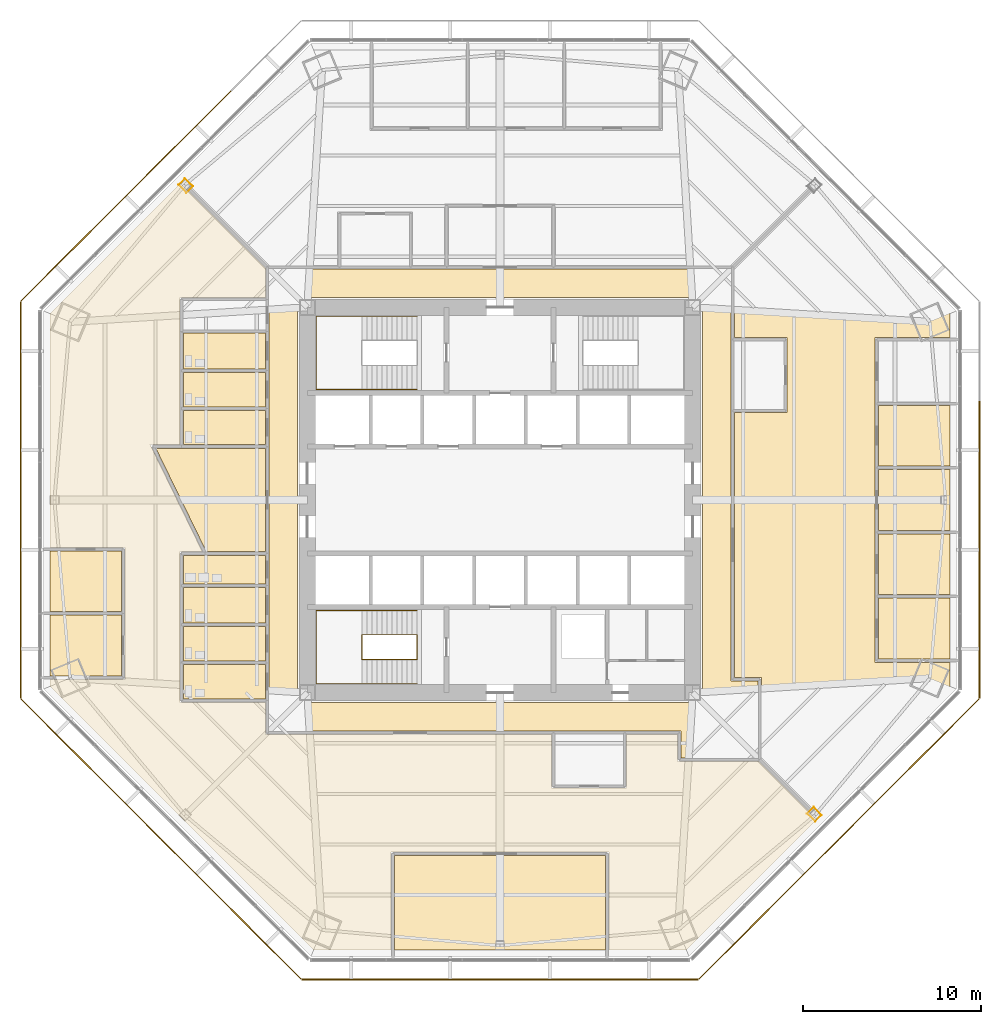
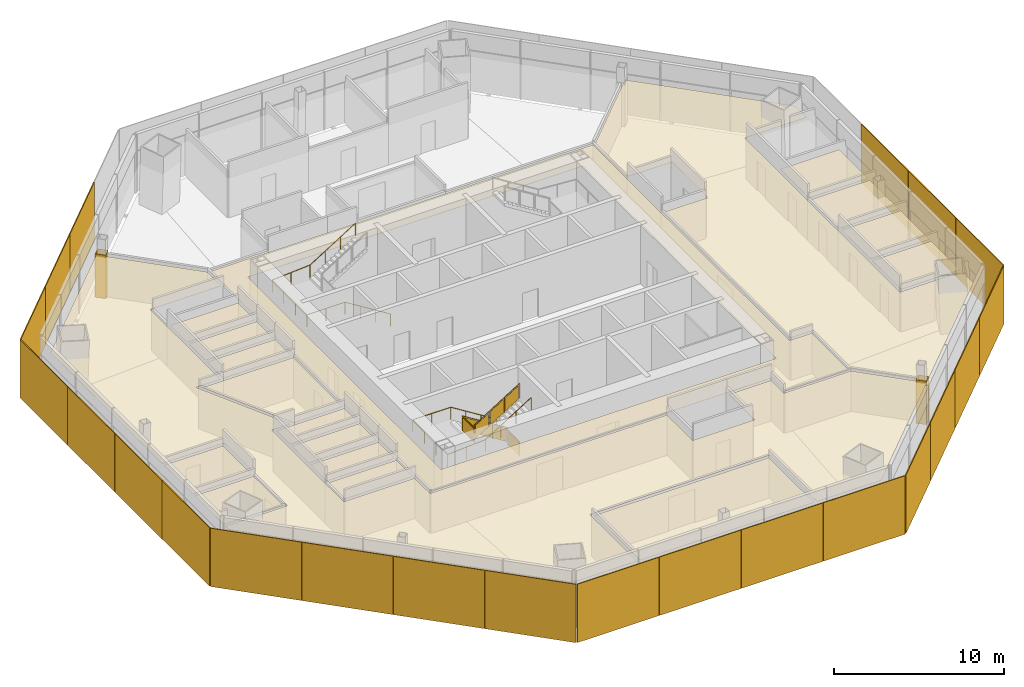
# One storey, part 14 of 16: 22 shading devices, 20 coverings, 3 railings.
"""IFC4 building model written with IfcOpenShell, lengths in metres."""

from ifc_helpers import new_model, si_unit, direction, frame, origin, origin_2d, place, context, subcontext, project, spatial, polyline, rectangle, circle, outline, extrude, source, transform, mapped, material, layer, layer_set, type_object, type_shapes, element, save


model = new_model("IFC4")

# Units and contexts
model_context = context("Model", 3, precision=1e-05, world=origin(), true_north=direction((0.0, 1.0)))
body_context = subcontext(model_context, "Body", "Model", "MODEL_VIEW")
ifc_project = project(units=[si_unit("LENGTHUNIT", "METRE"), si_unit("AREAUNIT", "SQUARE_METRE"), si_unit("VOLUMEUNIT", "CUBIC_METRE"), si_unit("PLANEANGLEUNIT", "RADIAN"), si_unit("MASSUNIT", "GRAM", prefix="KILO")], contexts=[model_context])

# Site, building, storey
site_placement = place(None, origin())
site = spatial("IfcSite", under=ifc_project, at=site_placement, CompositionType="ELEMENT")
building_placement = place(site_placement, origin())
building = spatial("IfcBuilding", under=site, at=building_placement, Name="Mashrafa Tower", CompositionType="ELEMENT")
storey_placement = place(building_placement, frame((0.0, 0.0, 79.199951171875)))
storey = spatial("IfcBuildingStorey", under=building, at=storey_placement, Name="L17", CompositionType="ELEMENT", Elevation=79.199951171875)

# Coverings
ifc_material_1 = material(Name="Gypsum board")
ifc_layer_1 = layer(ifc_material_1, 0.014892578125)
ifc_layer_set_1 = layer_set([ifc_layer_1], Name="Column casing plasterboard 15")
covering_type_1 = type_object("IfcCoveringType", Name="Column casing plasterboard 15", PredefinedType="CLADDING", material=ifc_layer_set_1)
covering_1_placement = place(storey_placement, origin())
element("IfcCovering", 1, at=covering_1_placement, inside=storey, type_object=covering_type_1, Name="Column casing L17-002", PredefinedType="CLADDING", context=body_context, shape_type="SweptSolid", body=[
    extrude(outline(polyline([(-18.0341796875, 17.659423828125), (-17.659423828125, 18.0341796875), (-17.20068359375, 17.575439453125), (-17.575439453125, 17.20068359375), (-18.0341796875, 17.659423828125)]), holes=[polyline([(-17.2216796875, 17.575439453125), (-17.659423828125, 18.01318359375), (-18.01318359375, 17.659423828125), (-17.575439453125, 17.2216796875), (-17.2216796875, 17.575439453125)])]), origin(), (0.0, 0.0, 1.0), 3.113037109375),
])
covering_2_placement = place(storey_placement, origin())
element("IfcCovering", 2, at=covering_2_placement, inside=storey, type_object=covering_type_1, Name="Column casing L17-003", PredefinedType="CLADDING", context=body_context, shape_type="SweptSolid", body=[
    extrude(outline(polyline([(17.20068359375, -17.575439453125), (17.575439453125, -17.20068359375), (18.0341796875, -17.659423828125), (17.659423828125, -18.0341796875), (17.20068359375, -17.575439453125)]), holes=[polyline([(18.01318359375, -17.659423828125), (17.575439453125, -17.2216796875), (17.2216796875, -17.575439453125), (17.659423828125, -18.01318359375), (18.01318359375, -17.659423828125)])]), origin(), (0.0, 0.0, 1.0), 3.113037109375),
])

# Railings
ifc_material_2 = material(Name="Steel guard with glass infill", Category="steel")
railing_type_1 = type_object("IfcRailingType", Name="Stair guard 1100", PredefinedType="GUARDRAIL", material=ifc_material_2)
railing_1_placement = place(storey_placement, frame((-4.64990234375, -8.949951171875, 0.0)))
element("IfcRailing", 3, at=railing_1_placement, inside=storey, type_object=railing_type_1, Name="Stair S3 guard L17", PredefinedType="GUARDRAIL", context=body_context, shape_type="SweptSolid", body=[
    extrude(circle(Radius=0.02392578125, at=origin_2d()), frame((0.0, 0.0, 1.076171875), z_axis=(0.0, 1.0, 0.0), x_axis=(-1.0, 0.0, 0.0)), (0.0, 0.0, 1.0), 1.39990234375),
    extrude(circle(Radius=0.02392578125, at=origin_2d()), frame((0.0, 1.39990234375, 1.076171875), z_axis=(0.0, 0.0, 1.0), x_axis=(1.0, 0.0, 0.0)), (0.0, 0.0, 1.0), 0.175048828125),
    extrude(circle(Radius=0.02392578125, at=origin_2d()), frame((0.0, 1.39990234375, 1.2509765625), z_axis=(-0.847998304005, 0.0, 0.529998940003), x_axis=(0.0, -1.0, 0.0)), (0.0, 0.0, 1.0), 3.632080078125),
    extrude(circle(Radius=0.02392578125, at=origin_2d()), frame((-3.080078125, 1.39990234375, 3.17626953125), z_axis=(0.0, -1.0, 0.0), x_axis=(1.0, 0.0, 0.0)), (0.0, 0.0, 1.0), 1.39990234375),
    extrude(circle(Radius=0.02392578125, at=origin_2d()), frame((-3.080078125, 0.0, 3.17626953125), z_axis=(0.0, 0.0, 1.0), x_axis=(1.0, 0.0, 0.0)), (0.0, 0.0, 1.0), 0.175048828125),
    extrude(circle(Radius=0.02392578125, at=origin_2d()), frame((-3.080078125, 0.0, 3.35107421875), z_axis=(0.848028513186, 0.0, 0.529950602248), x_axis=(0.0, 1.0, 0.0)), (0.0, 0.0, 1.0), 3.632080078125),
    extrude(circle(Radius=0.02099609375, at=origin_2d()), origin(), (0.0, 0.0, 1.0), 1.052001953125),
    extrude(circle(Radius=0.02099609375, at=origin_2d()), frame((0.0, 1.39990234375, 0.0)), (0.0, 0.0, 1.0), 1.052001953125),
    extrude(circle(Radius=0.02099609375, at=origin_2d()), frame((0.0, 1.39990234375, 0.175048828125)), (0.0, 0.0, 1.0), 1.052001953125),
    extrude(circle(Radius=0.02099609375, at=origin_2d()), frame((-1.026611328125, 1.39990234375, 0.816650390625)), (0.0, 0.0, 1.0), 1.052001953125),
    extrude(circle(Radius=0.02099609375, at=origin_2d()), frame((-2.053466796875, 1.39990234375, 1.45849609375)), (0.0, 0.0, 1.0), 1.052001953125),
    extrude(circle(Radius=0.02099609375, at=origin_2d()), frame((-3.080078125, 1.39990234375, 2.10009765625)), (0.0, 0.0, 1.0), 1.052001953125),
    extrude(circle(Radius=0.02099609375, at=origin_2d()), frame((-3.080078125, 0.0, 2.10009765625)), (0.0, 0.0, 1.0), 1.052001953125),
    extrude(circle(Radius=0.02099609375, at=origin_2d()), frame((-3.080078125, 0.0, 2.275146484375)), (0.0, 0.0, 1.0), 1.052001953125),
    extrude(circle(Radius=0.02099609375, at=origin_2d()), frame((-2.053466796875, 0.0, 2.916748046875)), (0.0, 0.0, 1.0), 1.052001953125),
    extrude(circle(Radius=0.02099609375, at=origin_2d()), frame((-1.026611328125, 0.0, 3.558349609375)), (0.0, 0.0, 1.0), 1.052001953125),
    extrude(circle(Radius=0.02099609375, at=origin_2d()), frame((0.0, 0.0, 4.199951171875)), (0.0, 0.0, 1.0), 1.052001953125),
    extrude(outline(polyline([(0.071044921875, 0.050048828125), (1.328857421875, 0.050048828125), (1.328857421875, 1.001953125), (0.071044921875, 1.001953125), (0.071044921875, 0.050048828125)])), frame((0.006103515625, 0.0, 0.0), z_axis=(1.0, 0.0, 0.0), x_axis=(0.0, 1.0, 0.0)), (0.0, 0.0, 1.0), 0.011962890625),
    extrude(outline(polyline([(0.071044921875, 0.094482421875), (0.955810546875, 0.647216796875), (0.955810546875, 1.599365234375), (0.071044921875, 1.04638671875), (0.071044921875, 0.094482421875)])), frame((0.0, 1.406005859375, 0.175048828125), z_axis=(0.0, 1.0, 0.0), x_axis=(-1.0, 0.0, 0.0)), (0.0, 0.0, 1.0), 0.011962890625),
    extrude(outline(polyline([(1.09765625, 0.736083984375), (1.982421875, 1.2890625), (1.982421875, 2.240966796875), (1.09765625, 1.68798828125), (1.09765625, 0.736083984375)])), frame((0.0, 1.406005859375, 0.175048828125), z_axis=(0.0, 1.0, 0.0), x_axis=(-1.0, 0.0, 0.0)), (0.0, 0.0, 1.0), 0.011962890625),
    extrude(outline(polyline([(2.124267578125, 1.377685546875), (3.009033203125, 1.9306640625), (3.009033203125, 2.882568359375), (2.124267578125, 2.329833984375), (2.124267578125, 1.377685546875)])), frame((0.0, 1.406005859375, 0.175048828125), z_axis=(0.0, 1.0, 0.0), x_axis=(-1.0, 0.0, 0.0)), (0.0, 0.0, 1.0), 0.011962890625),
    extrude(outline(polyline([(0.071044921875, 0.050048828125), (1.328857421875, 0.050048828125), (1.328857421875, 1.001953125), (0.071044921875, 1.001953125), (0.071044921875, 0.050048828125)])), frame((-3.086181640625, 1.39990234375, 2.10009765625), z_axis=(-1.0, 0.0, 0.0), x_axis=(0.0, -1.0, 0.0)), (0.0, 0.0, 1.0), 0.011962890625),
    extrude(outline(polyline([(0.071044921875, 0.094482421875), (0.955810546875, 0.647216796875), (0.955810546875, 1.59912109375), (0.071044921875, 1.04638671875), (0.071044921875, 0.094482421875)])), frame((-3.080078125, -0.006103515625, 2.275146484375), z_axis=(0.0, -1.0, 0.0), x_axis=(1.0, 0.0, 0.0)), (0.0, 0.0, 1.0), 0.011962890625),
    extrude(outline(polyline([(1.09765625, 0.736083984375), (1.982421875, 1.288818359375), (1.982421875, 2.24072265625), (1.09765625, 1.68798828125), (1.09765625, 0.736083984375)])), frame((-3.080078125, -0.006103515625, 2.275146484375), z_axis=(0.0, -1.0, 0.0), x_axis=(1.0, 0.0, 0.0)), (0.0, 0.0, 1.0), 0.011962890625),
    extrude(outline(polyline([(2.124267578125, 1.377685546875), (3.009033203125, 1.930419921875), (3.009033203125, 2.88232421875), (2.124267578125, 2.32958984375), (2.124267578125, 1.377685546875)])), frame((-3.080078125, -0.006103515625, 2.275146484375), z_axis=(0.0, -1.0, 0.0), x_axis=(1.0, 0.0, 0.0)), (0.0, 0.0, 1.0), 0.011962890625),
])
ifc_material_3 = material(Name="Steel", Category="steel")
railing_type_2 = type_object("IfcRailingType", Name="Stair handrail 900", PredefinedType="HANDRAIL", material=ifc_material_3)
railing_2_placement = place(storey_placement, frame((-4.64990234375, 6.199951171875, 0.175048828125)))
element("IfcRailing", 4, at=railing_2_placement, inside=storey, type_object=railing_type_2, Name="Stair S1 handrail L17", PredefinedType="HANDRAIL", context=body_context, shape_type="SweptSolid", body=[
    extrude(circle(Radius=0.02392578125, at=origin_2d()), frame((0.0, 0.0, 0.8759765625), z_axis=(-0.847998304005, 0.0, 0.529998940003), x_axis=(0.0, -1.0, 0.0)), (0.0, 0.0, 1.0), 3.632080078125),
    extrude(circle(Radius=0.02392578125, at=origin_2d()), frame((-3.080078125, 0.0, 2.80078125), z_axis=(-1.0, 0.0, 0.0), x_axis=(0.0, -1.0, 0.0)), (0.0, 0.0, 1.0), 2.570068359375),
    extrude(circle(Radius=0.02392578125, at=origin_2d()), frame((-5.650146484375, 0.0, 2.80078125), z_axis=(0.0, 1.0, 0.0), x_axis=(-1.0, 0.0, 0.0)), (0.0, 0.0, 1.0), 4.10009765625),
    extrude(circle(Radius=0.02392578125, at=origin_2d()), frame((-5.650146484375, 4.10009765625, 2.80078125), z_axis=(0.997688514158, 0.0, 0.067953136188), x_axis=(0.0, 1.0, 0.0)), (0.0, 0.0, 1.0), 2.575927734375),
    extrude(circle(Radius=0.02392578125, at=origin_2d()), frame((-3.080078125, 4.10009765625, 2.97607421875), z_axis=(0.848028513186, 0.0, 0.529950602248), x_axis=(0.0, 1.0, 0.0)), (0.0, 0.0, 1.0), 3.632080078125),
    extrude(circle(Radius=0.02099609375, at=origin_2d()), origin(), (0.0, 0.0, 1.0), 0.851806640625),
    extrude(circle(Radius=0.02099609375, at=origin_2d()), frame((-1.026611328125, 0.0, 0.6416015625)), (0.0, 0.0, 1.0), 0.851806640625),
    extrude(circle(Radius=0.02099609375, at=origin_2d()), frame((-2.053466796875, 0.0, 1.283447265625)), (0.0, 0.0, 1.0), 0.851806640625),
    extrude(circle(Radius=0.02099609375, at=origin_2d()), frame((-3.080078125, 0.0, 1.925048828125)), (0.0, 0.0, 1.0), 0.851806640625),
    extrude(circle(Radius=0.02099609375, at=origin_2d()), frame((-4.365234375, 0.0, 1.925048828125)), (0.0, 0.0, 1.0), 0.851806640625),
    extrude(circle(Radius=0.02099609375, at=origin_2d()), frame((-5.650146484375, 0.0, 1.925048828125)), (0.0, 0.0, 1.0), 0.851806640625),
    extrude(circle(Radius=0.02099609375, at=origin_2d()), frame((-5.650146484375, 1.36669921875, 1.925048828125)), (0.0, 0.0, 1.0), 0.851806640625),
    extrude(circle(Radius=0.02099609375, at=origin_2d()), frame((-5.650146484375, 2.7333984375, 1.925048828125)), (0.0, 0.0, 1.0), 0.851806640625),
    extrude(circle(Radius=0.02099609375, at=origin_2d()), frame((-5.650146484375, 4.10009765625, 1.925048828125)), (0.0, 0.0, 1.0), 0.851806640625),
    extrude(circle(Radius=0.02099609375, at=origin_2d()), frame((-4.365234375, 4.10009765625, 2.0126953125)), (0.0, 0.0, 1.0), 0.851806640625),
    extrude(circle(Radius=0.02099609375, at=origin_2d()), frame((-3.080078125, 4.10009765625, 2.10009765625)), (0.0, 0.0, 1.0), 0.851806640625),
    extrude(circle(Radius=0.02099609375, at=origin_2d()), frame((-2.053466796875, 4.10009765625, 2.74169921875)), (0.0, 0.0, 1.0), 0.851806640625),
    extrude(circle(Radius=0.02099609375, at=origin_2d()), frame((-1.026611328125, 4.10009765625, 3.38330078125)), (0.0, 0.0, 1.0), 0.851806640625),
    extrude(circle(Radius=0.02099609375, at=origin_2d()), frame((0.0, 4.10009765625, 4.02490234375)), (0.0, 0.0, 1.0), 0.851806640625),
])
railing_3_placement = place(storey_placement, frame((-4.64990234375, -6.199951171875, 0.175048828125)))
element("IfcRailing", 5, at=railing_3_placement, inside=storey, type_object=railing_type_2, Name="Stair S3 handrail L17", PredefinedType="HANDRAIL", context=body_context, shape_type="SweptSolid", body=[
    extrude(circle(Radius=0.02392578125, at=origin_2d()), frame((0.0, 0.0, 0.8759765625), z_axis=(-0.847998304005, 0.0, 0.529998940003), x_axis=(0.0, -1.0, 0.0)), (0.0, 0.0, 1.0), 3.632080078125),
    extrude(circle(Radius=0.02392578125, at=origin_2d()), frame((-3.080078125, 0.0, 2.80078125), z_axis=(-1.0, 0.0, 0.0), x_axis=(0.0, -1.0, 0.0)), (0.0, 0.0, 1.0), 2.570068359375),
    extrude(circle(Radius=0.02392578125, at=origin_2d()), frame((-5.650146484375, 0.0, 2.80078125), z_axis=(0.0, -1.0, 0.0), x_axis=(1.0, 0.0, 0.0)), (0.0, 0.0, 1.0), 4.10009765625),
    extrude(circle(Radius=0.02392578125, at=origin_2d()), frame((-5.650146484375, -4.10009765625, 2.80078125), z_axis=(0.997688514158, 0.0, 0.067953136188), x_axis=(0.0, 1.0, 0.0)), (0.0, 0.0, 1.0), 2.575927734375),
    extrude(circle(Radius=0.02392578125, at=origin_2d()), frame((-3.080078125, -4.10009765625, 2.97607421875), z_axis=(0.848028513186, 0.0, 0.529950602248), x_axis=(0.0, 1.0, 0.0)), (0.0, 0.0, 1.0), 3.632080078125),
    extrude(circle(Radius=0.02099609375, at=origin_2d()), origin(), (0.0, 0.0, 1.0), 0.851806640625),
    extrude(circle(Radius=0.02099609375, at=origin_2d()), frame((-1.026611328125, 0.0, 0.6416015625)), (0.0, 0.0, 1.0), 0.851806640625),
    extrude(circle(Radius=0.02099609375, at=origin_2d()), frame((-2.053466796875, 0.0, 1.283447265625)), (0.0, 0.0, 1.0), 0.851806640625),
    extrude(circle(Radius=0.02099609375, at=origin_2d()), frame((-3.080078125, 0.0, 1.925048828125)), (0.0, 0.0, 1.0), 0.851806640625),
    extrude(circle(Radius=0.02099609375, at=origin_2d()), frame((-4.365234375, 0.0, 1.925048828125)), (0.0, 0.0, 1.0), 0.851806640625),
    extrude(circle(Radius=0.02099609375, at=origin_2d()), frame((-5.650146484375, 0.0, 1.925048828125)), (0.0, 0.0, 1.0), 0.851806640625),
    extrude(circle(Radius=0.02099609375, at=origin_2d()), frame((-5.650146484375, -1.36669921875, 1.925048828125)), (0.0, 0.0, 1.0), 0.851806640625),
    extrude(circle(Radius=0.02099609375, at=origin_2d()), frame((-5.650146484375, -2.7333984375, 1.925048828125)), (0.0, 0.0, 1.0), 0.851806640625),
    extrude(circle(Radius=0.02099609375, at=origin_2d()), frame((-5.650146484375, -4.10009765625, 1.925048828125)), (0.0, 0.0, 1.0), 0.851806640625),
    extrude(circle(Radius=0.02099609375, at=origin_2d()), frame((-4.365234375, -4.10009765625, 2.0126953125)), (0.0, 0.0, 1.0), 0.851806640625),
    extrude(circle(Radius=0.02099609375, at=origin_2d()), frame((-3.080078125, -4.10009765625, 2.10009765625)), (0.0, 0.0, 1.0), 0.851806640625),
    extrude(circle(Radius=0.02099609375, at=origin_2d()), frame((-2.053466796875, -4.10009765625, 2.74169921875)), (0.0, 0.0, 1.0), 0.851806640625),
    extrude(circle(Radius=0.02099609375, at=origin_2d()), frame((-1.026611328125, -4.10009765625, 3.38330078125)), (0.0, 0.0, 1.0), 0.851806640625),
    extrude(circle(Radius=0.02099609375, at=origin_2d()), frame((0.0, -4.10009765625, 4.02490234375)), (0.0, 0.0, 1.0), 0.851806640625),
])

# Coverings
ifc_material_4 = material(Name="Mineral fibre tile on suspension grid")
ifc_layer_2 = layer(ifc_material_4, 0.014892578125)
ifc_layer_set_2 = layer_set([ifc_layer_2], Name="Suspended ceiling mineral tile 15")
covering_type_2 = type_object("IfcCoveringType", Name="Suspended ceiling mineral tile 15", PredefinedType="CEILING", material=ifc_layer_set_2)
covering_3_placement = place(storey_placement, frame((0.0, 0.0, 2.900146484375)))
element("IfcCovering", 6, at=covering_3_placement, inside=storey, type_object=covering_type_2, Name="Ceiling Office Corridor L17", PredefinedType="CEILING", context=body_context, shape_type="SweptSolid", body=[
    extrude(outline(polyline([(14.449951171875, -10.14990234375), (14.449951171875, -14.449951171875), (10.14990234375, -14.449951171875), (10.14990234375, -12.949951171875), (-12.949951171875, -12.949951171875), (-12.949951171875, 12.949951171875), (12.949951171875, 12.949951171875), (12.949951171875, -10.14990234375), (14.449951171875, -10.14990234375)]), holes=[polyline([(11.35009765625, 11.35009765625), (-11.35009765625, 11.35009765625), (-11.35009765625, -11.35009765625), (11.35009765625, -11.35009765625), (11.35009765625, 11.35009765625)])]), origin(), (0.0, 0.0, 1.0), 0.014892578125),
])
covering_4_placement = place(storey_placement, frame((0.0, 0.0, 2.900146484375)))
element("IfcCovering", 7, at=covering_4_placement, inside=storey, type_object=covering_type_2, Name="Ceiling WC Female L17 N", PredefinedType="CEILING", context=body_context, shape_type="SweptSolid", body=[
    extrude(outline(polyline([(-17.75, 3.10009765625), (-17.75, 5.02490234375), (-13.14990234375, 5.02490234375), (-13.14990234375, 3.10009765625), (-17.75, 3.10009765625)])), origin(), (0.0, 0.0, 1.0), 0.014892578125),
])
covering_5_placement = place(storey_placement, frame((0.0, 0.0, 2.900146484375)))
element("IfcCovering", 8, at=covering_5_placement, inside=storey, type_object=covering_type_2, Name="Ceiling WC Male L17 N", PredefinedType="CEILING", context=body_context, shape_type="SweptSolid", body=[
    extrude(outline(polyline([(-17.75, 5.22509765625), (-17.75, 7.14990234375), (-13.14990234375, 7.14990234375), (-13.14990234375, 5.22509765625), (-17.75, 5.22509765625)])), origin(), (0.0, 0.0, 1.0), 0.014892578125),
])
covering_6_placement = place(storey_placement, frame((0.0, 0.0, 2.900146484375)))
element("IfcCovering", 9, at=covering_6_placement, inside=storey, type_object=covering_type_2, Name="Ceiling Accessible WC L17 N", PredefinedType="CEILING", context=body_context, shape_type="SweptSolid", body=[
    extrude(outline(polyline([(-17.75, 7.35009765625), (-17.75, 9.35009765625), (-13.14990234375, 9.35009765625), (-13.14990234375, 7.35009765625), (-17.75, 7.35009765625)])), origin(), (0.0, 0.0, 1.0), 0.014892578125),
])
covering_7_placement = place(storey_placement, frame((0.0, 0.0, 2.900146484375)))
element("IfcCovering", 10, at=covering_7_placement, inside=storey, type_object=covering_type_2, Name="Ceiling WC Female L17 S", PredefinedType="CEILING", context=body_context, shape_type="SweptSolid", body=[
    extrude(outline(polyline([(-17.75, -11.14990234375), (-17.75, -9.22509765625), (-13.14990234375, -9.22509765625), (-13.14990234375, -11.14990234375), (-17.75, -11.14990234375)])), origin(), (0.0, 0.0, 1.0), 0.014892578125),
])
covering_8_placement = place(storey_placement, frame((0.0, 0.0, 2.900146484375)))
element("IfcCovering", 11, at=covering_8_placement, inside=storey, type_object=covering_type_2, Name="Ceiling WC Male L17 S", PredefinedType="CEILING", context=body_context, shape_type="SweptSolid", body=[
    extrude(outline(polyline([(-17.75, -9.02490234375), (-17.75, -7.10009765625), (-13.14990234375, -7.10009765625), (-13.14990234375, -9.02490234375), (-17.75, -9.02490234375)])), origin(), (0.0, 0.0, 1.0), 0.014892578125),
])
covering_9_placement = place(storey_placement, frame((0.0, 0.0, 2.900146484375)))
element("IfcCovering", 12, at=covering_9_placement, inside=storey, type_object=covering_type_2, Name="Ceiling Accessible WC L17 S", PredefinedType="CEILING", context=body_context, shape_type="SweptSolid", body=[
    extrude(outline(polyline([(-17.75, -6.89990234375), (-17.75, -4.89990234375), (-13.14990234375, -4.89990234375), (-13.14990234375, -6.89990234375), (-17.75, -6.89990234375)])), origin(), (0.0, 0.0, 1.0), 0.014892578125),
])
covering_10_placement = place(storey_placement, frame((0.0, 0.0, 2.900146484375)))
element("IfcCovering", 13, at=covering_10_placement, inside=storey, type_object=covering_type_2, Name="Ceiling Ablution Room L17 S", PredefinedType="CEILING", context=body_context, shape_type="SweptSolid", body=[
    extrude(outline(polyline([(-17.75, -4.699951171875), (-17.75, -3.10009765625), (-13.14990234375, -3.10009765625), (-13.14990234375, -4.699951171875), (-17.75, -4.699951171875)])), origin(), (0.0, 0.0, 1.0), 0.014892578125),
])
covering_11_placement = place(storey_placement, frame((0.0, 0.0, 2.900146484375)))
element("IfcCovering", 14, at=covering_11_placement, inside=storey, type_object=covering_type_2, Name="Ceiling Musallah Prayer Room 17", PredefinedType="CEILING", context=body_context, shape_type="SweptSolid", body=[
    extrude(outline(polyline([(-16.461181640625, -2.89990234375), (-19.2900390625, 2.89990234375), (-13.14990234375, 2.89990234375), (-13.14990234375, -2.89990234375), (-16.461181640625, -2.89990234375)])), origin(), (0.0, 0.0, 1.0), 0.014892578125),
])
covering_12_placement = place(storey_placement, frame((0.0, 0.0, 2.900146484375)))
element("IfcCovering", 15, at=covering_12_placement, inside=storey, type_object=covering_type_2, Name="Ceiling Meeting Room 17-S", PredefinedType="CEILING", context=body_context, shape_type="SweptSolid", body=[
    extrude(outline(polyline([(-5.89990234375, -19.92431640625), (5.89990234375, -19.92431640625), (5.89990234375, -25.224365234375), (-5.89990234375, -25.224365234375), (-5.89990234375, -19.92431640625)])), origin(), (0.0, 0.0, 1.0), 0.014892578125),
])
covering_13_placement = place(storey_placement, frame((0.0, 0.0, 2.900146484375)))
element("IfcCovering", 16, at=covering_13_placement, inside=storey, type_object=covering_type_2, Name="Ceiling Office 17-E-1", PredefinedType="CEILING", context=body_context, shape_type="SweptSolid", body=[
    extrude(outline(polyline([(21.224365234375, -5.5), (25.224365234375, -5.5), (25.224365234375, -8.89990234375), (21.224365234375, -8.89990234375), (21.224365234375, -5.5)])), origin(), (0.0, 0.0, 1.0), 0.014892578125),
])
covering_14_placement = place(storey_placement, frame((0.0, 0.0, 2.900146484375)))
element("IfcCovering", 17, at=covering_14_placement, inside=storey, type_object=covering_type_2, Name="Ceiling Office 17-E-2", PredefinedType="CEILING", context=body_context, shape_type="SweptSolid", body=[
    extrude(outline(polyline([(21.224365234375, -1.89990234375), (25.224365234375, -1.89990234375), (25.224365234375, -5.300048828125), (21.224365234375, -5.300048828125), (21.224365234375, -1.89990234375)])), origin(), (0.0, 0.0, 1.0), 0.014892578125),
])
covering_15_placement = place(storey_placement, frame((0.0, 0.0, 2.900146484375)))
element("IfcCovering", 18, at=covering_15_placement, inside=storey, type_object=covering_type_2, Name="Ceiling Office 17-E-3", PredefinedType="CEILING", context=body_context, shape_type="SweptSolid", body=[
    extrude(outline(polyline([(21.224365234375, 1.699951171875), (25.224365234375, 1.699951171875), (25.224365234375, -1.699951171875), (21.224365234375, -1.699951171875), (21.224365234375, 1.699951171875)])), origin(), (0.0, 0.0, 1.0), 0.014892578125),
])
covering_16_placement = place(storey_placement, frame((0.0, 0.0, 2.900146484375)))
element("IfcCovering", 19, at=covering_16_placement, inside=storey, type_object=covering_type_2, Name="Ceiling Office 17-E-4", PredefinedType="CEILING", context=body_context, shape_type="SweptSolid", body=[
    extrude(outline(polyline([(21.224365234375, 5.300048828125), (25.224365234375, 5.300048828125), (25.224365234375, 1.89990234375), (21.224365234375, 1.89990234375), (21.224365234375, 5.300048828125)])), origin(), (0.0, 0.0, 1.0), 0.014892578125),
])
covering_17_placement = place(storey_placement, frame((0.0, 0.0, 2.900146484375)))
element("IfcCovering", 20, at=covering_17_placement, inside=storey, type_object=covering_type_2, Name="Ceiling Office 17-S-1", PredefinedType="CEILING", context=body_context, shape_type="SweptSolid", body=[
    extrude(outline(polyline([(-21.224365234375, -2.85595703125), (-21.224365234375, -6.256103515625), (-25.224365234375, -6.256103515625), (-25.224365234375, -2.85595703125), (-21.224365234375, -2.85595703125)])), origin(), (0.0, 0.0, 1.0), 0.014892578125),
])
covering_18_placement = place(storey_placement, frame((0.0, 0.0, 2.900146484375)))
element("IfcCovering", 21, at=covering_18_placement, inside=storey, type_object=covering_type_2, Name="Ceiling Office 17-S-2", PredefinedType="CEILING", context=body_context, shape_type="SweptSolid", body=[
    extrude(outline(polyline([(-21.224365234375, -6.4560546875), (-21.224365234375, -9.85595703125), (-25.224365234375, -9.85595703125), (-25.224365234375, -6.4560546875), (-21.224365234375, -6.4560546875)])), origin(), (0.0, 0.0, 1.0), 0.014892578125),
])
covering_19_placement = place(storey_placement, frame((0.0, 0.0, 2.900146484375)))
element("IfcCovering", 22, at=covering_19_placement, inside=storey, type_object=covering_type_2, Name="Ceiling Office Tenancy 17-E", PredefinedType="CEILING", context=body_context, shape_type="SweptSolid", body=[
    extrude(outline(polyline([(13.14990234375, 13.008544921875), (17.906982421875, 17.765380859375), (25.224365234375, 10.4482421875), (25.224365234375, 9.10009765625), (21.0244140625, 9.10009765625), (21.0244140625, -9.10009765625), (25.224365234375, -9.10009765625), (25.224365234375, -10.4482421875), (17.906982421875, -17.765380859375), (14.64990234375, -14.508544921875), (14.64990234375, -9.949951171875), (13.14990234375, -9.949951171875), (13.14990234375, 4.89990234375), (16.10009765625, 4.89990234375), (16.10009765625, 9.10009765625), (13.14990234375, 9.10009765625), (13.14990234375, 13.008544921875)])), origin(), (0.0, 0.0, 1.0), 0.014892578125),
])
covering_20_placement = place(storey_placement, frame((0.0, 0.0, 2.900146484375)))
element("IfcCovering", 23, at=covering_20_placement, inside=storey, type_object=covering_type_2, Name="Ceiling Office Tenancy 17-S", PredefinedType="CEILING", context=body_context, shape_type="SweptSolid", body=[
    extrude(outline(polyline([(14.508544921875, -14.64990234375), (17.765380859375, -17.906982421875), (10.4482421875, -25.224365234375), (6.10009765625, -25.224365234375), (6.10009765625, -19.724365234375), (-6.10009765625, -19.724365234375), (-6.10009765625, -25.224365234375), (-10.4482421875, -25.224365234375), (-25.224365234375, -10.4482421875), (-25.224365234375, -10.055908203125), (-21.0244140625, -10.055908203125), (-21.0244140625, -2.656005859375), (-25.224365234375, -2.656005859375), (-25.224365234375, 10.4482421875), (-17.906982421875, 17.765380859375), (-13.14990234375, 13.008544921875), (-13.14990234375, 11.35009765625), (-17.949951171875, 11.35009765625), (-17.949951171875, 3.10009765625), (-19.610107421875, 3.10009765625), (-16.68359375, -2.89990234375), (-17.949951171875, -2.89990234375), (-17.949951171875, -11.35009765625), (-13.14990234375, -11.35009765625), (-13.14990234375, -13.14990234375), (2.89990234375, -13.14990234375), (2.89990234375, -16.14990234375), (7.10009765625, -16.14990234375), (7.10009765625, -13.14990234375), (9.949951171875, -13.14990234375), (9.949951171875, -14.64990234375), (14.508544921875, -14.64990234375)])), origin(), (0.0, 0.0, 1.0), 0.014892578125),
])

# Shading devices
ifc_material_5 = material(Name="Perforated aluminium plate, eight-point star pattern", Category="aluminium")
ifc_layer_3 = layer(ifc_material_5, 0.06005859375)
ifc_layer_set_3 = layer_set([ifc_layer_3], Name="Mashrabiya screen panel office zone 1, 45 percent open")
shading_device_type = type_object("IfcShadingDeviceType", Name="Mashrabiya screen panel office zone 1, 45 percent open", PredefinedType="SHUTTER", material=ifc_layer_set_3)
shared_shape = source(origin(), body_context, "Body", "SweptSolid", [
    extrude(rectangle(XDim=5.53466796875, YDim=0.06005859375, at=origin_2d()), origin(), (0.0, 0.0, 1.0), 4.179931640625),
])
type_shapes(shading_device_type, [shared_shape])
for number, where, z_axis, x_axis, name in (
    (24, (26.874267578125, -8.33203125, -0.14990234375), (0.0, 0.0, 1.0), (0.0, 1.0, 0.0), "Mashrabiya screen L17 east 1"),
    (25, (26.874267578125, -2.77734375, -0.14990234375), (0.0, 0.0, 1.0), (0.0, 1.0, 0.0), "Mashrabiya screen L17 east 2"),
    (26, (26.874267578125, 2.77734375, -0.14990234375), (0.0, 0.0, 1.0), (0.0, 1.0, 0.0), "Mashrabiya screen L17 east 3"),
    (27, (-17.0390625, 20.966796875, -0.14990234375), (0.0, 0.0, 1.0), (-0.707106781187, -0.707106781187, 0.0), "Mashrabiya screen L17 north-west 2"),
    (28, (-20.966796875, 17.0390625, -0.14990234375), (0.0, 0.0, 1.0), (-0.707106781187, -0.707106781187, 0.0), "Mashrabiya screen L17 north-west 3"),
    (29, (-24.89453125, 13.111328125, -0.14990234375), (0.0, 0.0, 1.0), (-0.707106781187, -0.707106781187, 0.0), "Mashrabiya screen L17 north-west 4"),
    (30, (-26.874267578125, 8.33203125, -0.14990234375), (0.0, 0.0, 1.0), (0.0, -1.0, 0.0), "Mashrabiya screen L17 west 1"),
    (31, (-26.874267578125, 2.77734375, -0.14990234375), (0.0, 0.0, 1.0), (0.0, -1.0, 0.0), "Mashrabiya screen L17 west 2"),
    (32, (-26.874267578125, -2.77734375, -0.14990234375), (0.0, 0.0, 1.0), (0.0, -1.0, 0.0), "Mashrabiya screen L17 west 3"),
    (33, (-26.874267578125, -8.33203125, -0.14990234375), (0.0, 0.0, 1.0), (0.0, -1.0, 0.0), "Mashrabiya screen L17 west 4"),
    (34, (-24.89453125, -13.111328125, -0.14990234375), (0.0, 0.0, 1.0), (0.707106781187, -0.707106781187, 0.0), "Mashrabiya screen L17 south-west 1"),
    (35, (-20.966796875, -17.0390625, -0.14990234375), (0.0, 0.0, 1.0), (0.707106781187, -0.707106781187, 0.0), "Mashrabiya screen L17 south-west 2"),
    (36, (-17.0390625, -20.966796875, -0.14990234375), (0.0, 0.0, 1.0), (0.707106781187, -0.707106781187, 0.0), "Mashrabiya screen L17 south-west 3"),
    (37, (-13.111328125, -24.89453125, -0.14990234375), (0.0, 0.0, 1.0), (0.707106781187, -0.707106781187, 0.0), "Mashrabiya screen L17 south-west 4"),
    (38, (-8.33203125, -26.874267578125, -0.14990234375), (0.0, 0.0, 1.0), (1.0, 0.0, 0.0), "Mashrabiya screen L17 south 1"),
    (39, (-2.77734375, -26.874267578125, -0.14990234375), (0.0, 0.0, 1.0), (1.0, 0.0, 0.0), "Mashrabiya screen L17 south 2"),
    (40, (2.77734375, -26.874267578125, -0.14990234375), (0.0, 0.0, 1.0), (1.0, 0.0, 0.0), "Mashrabiya screen L17 south 3"),
    (41, (8.33203125, -26.874267578125, -0.14990234375), (0.0, 0.0, 1.0), (1.0, 0.0, 0.0), "Mashrabiya screen L17 south 4"),
    (42, (13.111328125, -24.89453125, -0.14990234375), (0.0, 0.0, 1.0), (0.707106781187, 0.707106781187, 0.0), "Mashrabiya screen L17 south-east 1"),
    (43, (17.0390625, -20.966796875, -0.14990234375), (0.0, 0.0, 1.0), (0.707106781187, 0.707106781187, 0.0), "Mashrabiya screen L17 south-east 2"),
    (44, (20.966796875, -17.0390625, -0.14990234375), (0.0, 0.0, 1.0), (0.707106781187, 0.707106781187, 0.0), "Mashrabiya screen L17 south-east 3"),
    (45, (24.89453125, -13.111328125, -0.14990234375), (0.0, 0.0, 1.0), (0.707106781187, 0.707106781187, 0.0), "Mashrabiya screen L17 south-east 4"),
):
    element("IfcShadingDevice", number, at=place(storey_placement, frame(where, z_axis=z_axis, x_axis=x_axis)), inside=storey, type_object=shading_device_type, Name=name, PredefinedType="SHUTTER", context=body_context, shape_type="MappedRepresentation", body=[
        mapped(shared_shape, transform((0.0, 0.0, 0.0))),
    ])

save(model, "model.ifc")
